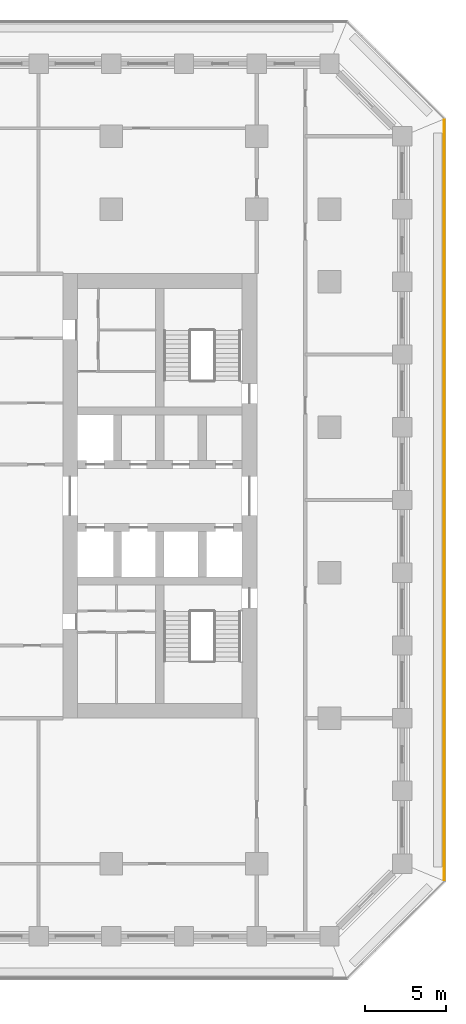
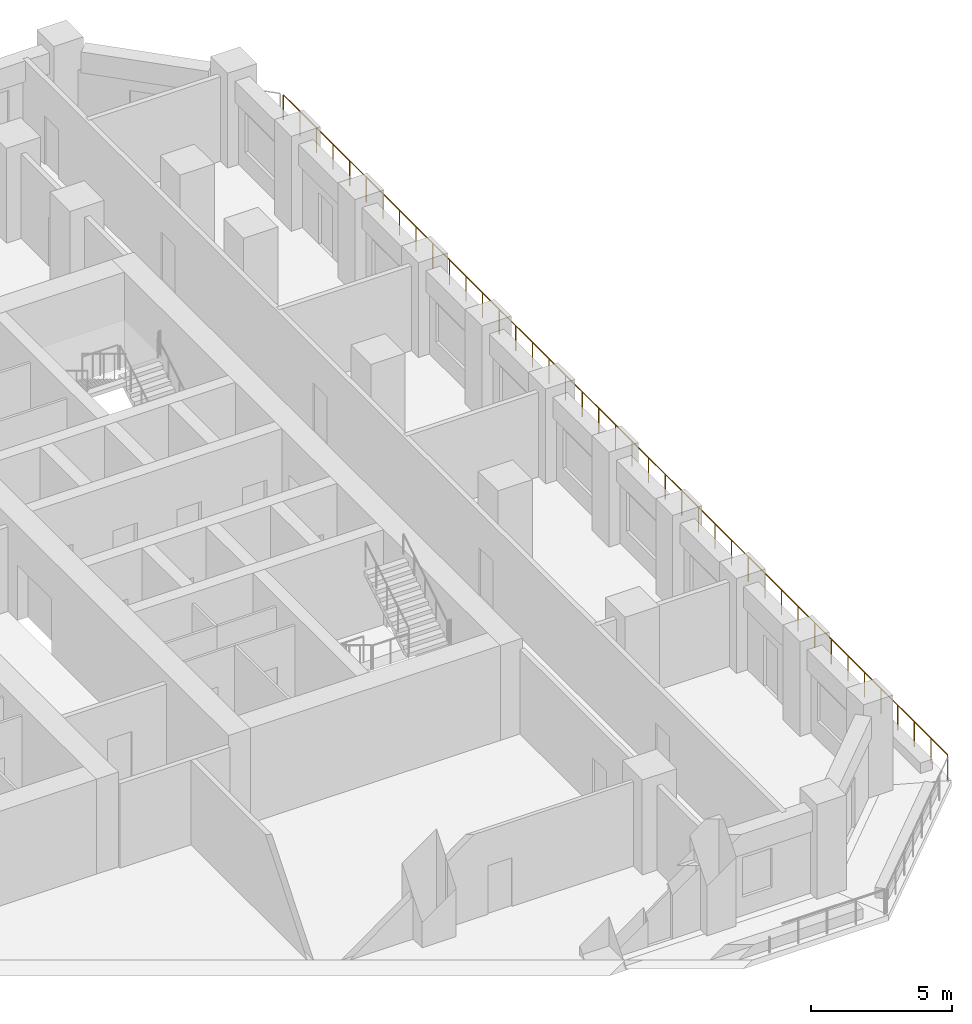
# One storey, part 12 of 16: 1 railing.
"""IFC4 building model written with IfcOpenShell, lengths in metres."""

from ifc_helpers import new_model, si_unit, direction, frame, origin, origin_2d, place, context, subcontext, project, spatial, circle, extrude, material, type_object, element, save


model = new_model("IFC4")

# Units and contexts
model_context = context("Model", 3, precision=1e-05, world=origin(), true_north=direction((0.0, 1.0)))
body_context = subcontext(model_context, "Body", "Model", "MODEL_VIEW")
ifc_project = project(units=[si_unit("LENGTHUNIT", "METRE"), si_unit("AREAUNIT", "SQUARE_METRE"), si_unit("VOLUMEUNIT", "CUBIC_METRE"), si_unit("PLANEANGLEUNIT", "RADIAN"), si_unit("MASSUNIT", "GRAM", prefix="KILO")], contexts=[model_context])

# Site, building, storey
site_placement = place(None, origin())
site = spatial("IfcSite", under=ifc_project, at=site_placement, CompositionType="ELEMENT")
building_placement = place(site_placement, origin())
building = spatial("IfcBuilding", under=site, at=building_placement, Name="Corbel Stack Research Tower", CompositionType="ELEMENT")
storey_placement = place(building_placement, frame((0.0, 0.0, 137.199951171875)))
storey = spatial("IfcBuildingStorey", under=building, at=storey_placement, Name="L31", CompositionType="ELEMENT", Elevation=137.199951171875)

# Railing
ifc_material = material(Name="Powder-coated steel guard", Category="steel")
railing_type = type_object("IfcRailingType", Name="Steel and glass guard 1100", PredefinedType="GUARDRAIL", material=ifc_material)
railing_placement = place(storey_placement, frame((29.60009765625, -19.00537109375, 0.0)))
element("IfcRailing", 1, at=railing_placement, inside=storey, type_object=railing_type, Name="Loggia guard L31 E", PredefinedType="GUARDRAIL", context=body_context, shape_type="SweptSolid", body=[
    extrude(circle(Radius=0.02392578125, at=origin_2d()), frame((0.0, 0.0, 1.076171875), z_axis=(0.0, 1.0, 0.0), x_axis=(-1.0, 0.0, 0.0)), (0.0, 0.0, 1.0), 47.0107421875),
    extrude(circle(Radius=0.02099609375, at=origin_2d()), origin(), (0.0, 0.0, 1.0), 1.052001953125),
    extrude(circle(Radius=0.02099609375, at=origin_2d()), frame((0.0, 1.17529296875, 0.0)), (0.0, 0.0, 1.0), 1.052001953125),
    extrude(circle(Radius=0.02099609375, at=origin_2d()), frame((0.0, 2.3505859375, 0.0)), (0.0, 0.0, 1.0), 1.052001953125),
    extrude(circle(Radius=0.02099609375, at=origin_2d()), frame((0.0, 3.52587890625, 0.0)), (0.0, 0.0, 1.0), 1.052001953125),
    extrude(circle(Radius=0.02099609375, at=origin_2d()), frame((0.0, 4.701171875, 0.0)), (0.0, 0.0, 1.0), 1.052001953125),
    extrude(circle(Radius=0.02099609375, at=origin_2d()), frame((0.0, 5.87646484375, 0.0)), (0.0, 0.0, 1.0), 1.052001953125),
    extrude(circle(Radius=0.02099609375, at=origin_2d()), frame((0.0, 7.051513671875, 0.0)), (0.0, 0.0, 1.0), 1.052001953125),
    extrude(circle(Radius=0.02099609375, at=origin_2d()), frame((0.0, 8.226806640625, 0.0)), (0.0, 0.0, 1.0), 1.052001953125),
    extrude(circle(Radius=0.02099609375, at=origin_2d()), frame((0.0, 9.402099609375, 0.0)), (0.0, 0.0, 1.0), 1.052001953125),
    extrude(circle(Radius=0.02099609375, at=origin_2d()), frame((0.0, 10.577392578125, 0.0)), (0.0, 0.0, 1.0), 1.052001953125),
    extrude(circle(Radius=0.02099609375, at=origin_2d()), frame((0.0, 11.752685546875, 0.0)), (0.0, 0.0, 1.0), 1.052001953125),
    extrude(circle(Radius=0.02099609375, at=origin_2d()), frame((0.0, 12.927978515625, 0.0)), (0.0, 0.0, 1.0), 1.052001953125),
    extrude(circle(Radius=0.02099609375, at=origin_2d()), frame((0.0, 14.103271484375, 0.0)), (0.0, 0.0, 1.0), 1.052001953125),
    extrude(circle(Radius=0.02099609375, at=origin_2d()), frame((0.0, 15.278564453125, 0.0)), (0.0, 0.0, 1.0), 1.052001953125),
    extrude(circle(Radius=0.02099609375, at=origin_2d()), frame((0.0, 16.453857421875, 0.0)), (0.0, 0.0, 1.0), 1.052001953125),
    extrude(circle(Radius=0.02099609375, at=origin_2d()), frame((0.0, 17.62890625, 0.0)), (0.0, 0.0, 1.0), 1.052001953125),
    extrude(circle(Radius=0.02099609375, at=origin_2d()), frame((0.0, 18.80419921875, 0.0)), (0.0, 0.0, 1.0), 1.052001953125),
    extrude(circle(Radius=0.02099609375, at=origin_2d()), frame((0.0, 19.9794921875, 0.0)), (0.0, 0.0, 1.0), 1.052001953125),
    extrude(circle(Radius=0.02099609375, at=origin_2d()), frame((0.0, 21.15478515625, 0.0)), (0.0, 0.0, 1.0), 1.052001953125),
    extrude(circle(Radius=0.02099609375, at=origin_2d()), frame((0.0, 22.330078125, 0.0)), (0.0, 0.0, 1.0), 1.052001953125),
    extrude(circle(Radius=0.02099609375, at=origin_2d()), frame((0.0, 23.50537109375, 0.0)), (0.0, 0.0, 1.0), 1.052001953125),
    extrude(circle(Radius=0.02099609375, at=origin_2d()), frame((0.0, 24.6806640625, 0.0)), (0.0, 0.0, 1.0), 1.052001953125),
    extrude(circle(Radius=0.02099609375, at=origin_2d()), frame((0.0, 25.85595703125, 0.0)), (0.0, 0.0, 1.0), 1.052001953125),
    extrude(circle(Radius=0.02099609375, at=origin_2d()), frame((0.0, 27.03125, 0.0)), (0.0, 0.0, 1.0), 1.052001953125),
    extrude(circle(Radius=0.02099609375, at=origin_2d()), frame((0.0, 28.20654296875, 0.0)), (0.0, 0.0, 1.0), 1.052001953125),
    extrude(circle(Radius=0.02099609375, at=origin_2d()), frame((0.0, 29.3818359375, 0.0)), (0.0, 0.0, 1.0), 1.052001953125),
    extrude(circle(Radius=0.02099609375, at=origin_2d()), frame((0.0, 30.556884765625, 0.0)), (0.0, 0.0, 1.0), 1.052001953125),
    extrude(circle(Radius=0.02099609375, at=origin_2d()), frame((0.0, 31.732177734375, 0.0)), (0.0, 0.0, 1.0), 1.052001953125),
    extrude(circle(Radius=0.02099609375, at=origin_2d()), frame((0.0, 32.907470703125, 0.0)), (0.0, 0.0, 1.0), 1.052001953125),
    extrude(circle(Radius=0.02099609375, at=origin_2d()), frame((0.0, 34.082763671875, 0.0)), (0.0, 0.0, 1.0), 1.052001953125),
    extrude(circle(Radius=0.02099609375, at=origin_2d()), frame((0.0, 35.258056640625, 0.0)), (0.0, 0.0, 1.0), 1.052001953125),
    extrude(circle(Radius=0.02099609375, at=origin_2d()), frame((0.0, 36.433349609375, 0.0)), (0.0, 0.0, 1.0), 1.052001953125),
    extrude(circle(Radius=0.02099609375, at=origin_2d()), frame((0.0, 37.608642578125, 0.0)), (0.0, 0.0, 1.0), 1.052001953125),
    extrude(circle(Radius=0.02099609375, at=origin_2d()), frame((0.0, 38.783935546875, 0.0)), (0.0, 0.0, 1.0), 1.052001953125),
    extrude(circle(Radius=0.02099609375, at=origin_2d()), frame((0.0, 39.959228515625, 0.0)), (0.0, 0.0, 1.0), 1.052001953125),
    extrude(circle(Radius=0.02099609375, at=origin_2d()), frame((0.0, 41.13427734375, 0.0)), (0.0, 0.0, 1.0), 1.052001953125),
    extrude(circle(Radius=0.02099609375, at=origin_2d()), frame((0.0, 42.3095703125, 0.0)), (0.0, 0.0, 1.0), 1.052001953125),
    extrude(circle(Radius=0.02099609375, at=origin_2d()), frame((0.0, 43.48486328125, 0.0)), (0.0, 0.0, 1.0), 1.052001953125),
    extrude(circle(Radius=0.02099609375, at=origin_2d()), frame((0.0, 44.66015625, 0.0)), (0.0, 0.0, 1.0), 1.052001953125),
    extrude(circle(Radius=0.02099609375, at=origin_2d()), frame((0.0, 45.83544921875, 0.0)), (0.0, 0.0, 1.0), 1.052001953125),
    extrude(circle(Radius=0.02099609375, at=origin_2d()), frame((0.0, 47.0107421875, 0.0)), (0.0, 0.0, 1.0), 1.052001953125),
])

save(model, "model.ifc")
